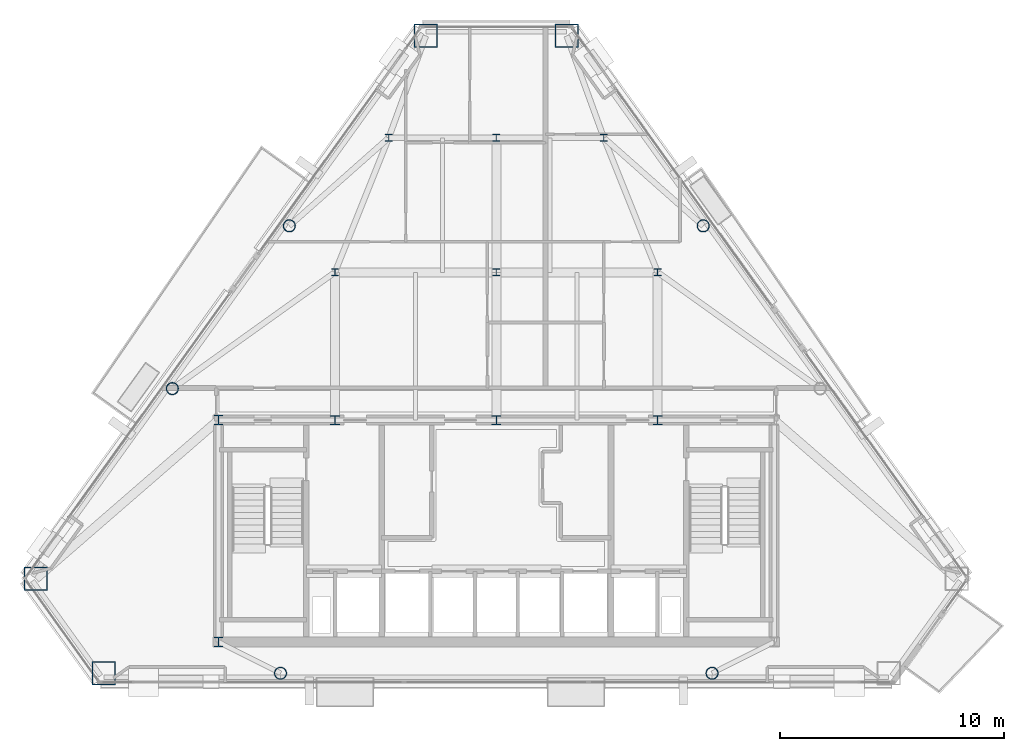
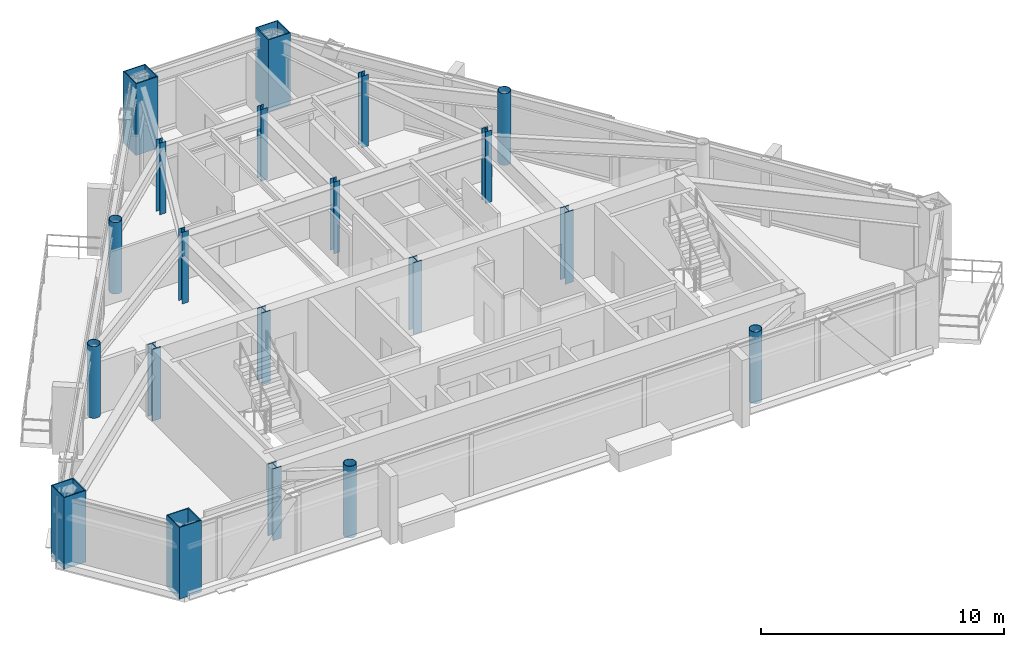
# One storey, part 1 of 11: 20 columns.
"""IFC4 building model written with IfcOpenShell, lengths in metres."""

from ifc_helpers import new_model, si_unit, direction, frame, origin, origin_2d, place, context, subcontext, project, spatial, hollow_rectangle, hollow_circle, i_section, extrude, material, material_profile, profile_set, type_object, element, save


model = new_model("IFC4")

# Units and contexts
model_context = context("Model", 3, precision=1e-05, world=origin(), true_north=direction((0.0, 1.0)))
body_context = subcontext(model_context, "Body", "Model", "MODEL_VIEW")
ifc_project = project(units=[si_unit("LENGTHUNIT", "METRE"), si_unit("AREAUNIT", "SQUARE_METRE"), si_unit("VOLUMEUNIT", "CUBIC_METRE"), si_unit("PLANEANGLEUNIT", "RADIAN"), si_unit("MASSUNIT", "GRAM", prefix="KILO")], contexts=[model_context])

# Site, building, storey
site_placement = place(None, origin())
site = spatial("IfcSite", under=ifc_project, at=site_placement, CompositionType="ELEMENT")
building_placement = place(site_placement, origin())
building = spatial("IfcBuilding", under=site, at=building_placement, Name="Talgorran Terracotta Tower", CompositionType="ELEMENT")
storey_placement = place(building_placement, frame((0.0, 0.0, 207.300048828125)))
storey = spatial("IfcBuildingStorey", under=building, at=storey_placement, Name="L54", CompositionType="ELEMENT", Elevation=207.300048828125)

# Columns
ifc_material_1 = material(Name="Steel S355 (300PLUS)", Category="steel")
ifc_material_profile_1 = material_profile(ifc_material_1, i_section(OverallWidth=0.306884765625, OverallDepth=0.314453125, WebThickness=0.011962890625, FlangeThickness=0.018798828125, at=origin_2d()), Name="310UC118")
ifc_profile_set_1 = profile_set([ifc_material_profile_1], Name="Steel S355 (300PLUS)")
column_type_1 = type_object("IfcColumnType", Name="COL_310UC118", PredefinedType="COLUMN", material=ifc_profile_set_1)
for number, where, z_axis, x_axis, name in (
    (1, (-7.199951171875, 2.39990234375, 0.0), (0.0, 0.0, 1.0), (1.0, 0.0, 0.0), "L54 Interior Gravity Column IC1"),
    (2, (0.0, 2.39990234375, 0.0), (0.0, 0.0, 1.0), (1.0, 0.0, 0.0), "L54 Interior Gravity Column IC2"),
    (3, (7.199951171875, 2.39990234375, 0.0), (0.0, 0.0, 1.0), (1.0, 0.0, 0.0), "L54 Interior Gravity Column IC3"),
    (4, (-4.800048828125, 8.39990234375, 0.0), (0.0, 0.0, 1.0), (1.0, 0.0, 0.0), "L54 Interior Gravity Column IC4"),
    (5, (0.0, 8.39990234375, 0.0), (0.0, 0.0, 1.0), (1.0, 0.0, 0.0), "L54 Interior Gravity Column IC5"),
    (6, (4.800048828125, 8.39990234375, 0.0), (0.0, 0.0, 1.0), (1.0, 0.0, 0.0), "L54 Interior Gravity Column IC6"),
):
    element("IfcColumn", number, at=place(storey_placement, frame(where, z_axis=z_axis, x_axis=x_axis)), inside=storey, type_object=column_type_1, Name=name, PredefinedType="COLUMN", context=body_context, shape_type="SweptSolid", body=[
        extrude(i_section(OverallWidth=0.306884765625, OverallDepth=0.314453125, WebThickness=0.011962890625, FlangeThickness=0.018798828125, at=origin_2d()), origin(), (0.0, 0.0, 1.0), 3.599853515625),
    ])
ifc_material_profile_2 = material_profile(ifc_material_1, i_section(OverallWidth=0.39990234375, OverallDepth=0.43994140625, WebThickness=0.028076171875, FlangeThickness=0.0400390625, at=origin_2d()), Name="400WC328")
ifc_profile_set_2 = profile_set([ifc_material_profile_2], Name="Steel S355 (300PLUS)")
column_type_2 = type_object("IfcColumnType", Name="COL_400WC328", PredefinedType="COLUMN", material=ifc_profile_set_2)
for number, where, z_axis, x_axis, name in (
    (7, (-12.39990234375, -14.10009765625, 0.0), (0.0, 0.0, 1.0), (1.0, 0.0, 0.0), "L54 Core Boundary Column CC1"),
    (8, (-12.39990234375, -4.199951171875, 0.0), (0.0, 0.0, 1.0), (1.0, 0.0, 0.0), "L54 Core Boundary Column CC4"),
):
    element("IfcColumn", number, at=place(storey_placement, frame(where, z_axis=z_axis, x_axis=x_axis)), inside=storey, type_object=column_type_2, Name=name, PredefinedType="COLUMN", context=body_context, shape_type="SweptSolid", body=[
        extrude(i_section(OverallWidth=0.39990234375, OverallDepth=0.43994140625, WebThickness=0.028076171875, FlangeThickness=0.0400390625, at=origin_2d()), origin(), (0.0, 0.0, 1.0), 3.599853515625),
    ])
ifc_material_2 = material(Name="Steel Grade 350 (350L0)", Category="steel")
ifc_material_profile_3 = material_profile(ifc_material_2, hollow_rectangle(XDim=1.050048828125, YDim=1.050048828125, WallThickness=0.044921875, at=origin_2d()), Name="CFT1050X1050X45")
ifc_profile_set_3 = profile_set([ifc_material_profile_3], Name="Steel Grade 350 (350L0)")
column_type_3 = type_object("IfcColumnType", Name="COL_CFT_1050", PredefinedType="COLUMN", material=ifc_profile_set_3)
for number, where, z_axis, x_axis, name in (
    (9, (-20.54833984375, -11.26953125, 0.0), (0.0, 0.0, 1.0), (1.0, 0.0, 0.0), "L54 Corner CFT Mega-Column MC1"),
    (10, (-17.5107421875, -15.49658203125, 0.0), (0.0, 0.0, 1.0), (1.0, 0.0, 0.0), "L54 Corner CFT Mega-Column MC2"),
    (11, (3.14453125, 12.94970703125, 0.0), (0.0, 0.0, 1.0), (1.0, 0.0, 0.0), "L54 Corner CFT Mega-Column MC5"),
    (12, (-3.14453125, 12.94970703125, 0.0), (0.0, 0.0, 1.0), (1.0, 0.0, 0.0), "L54 Corner CFT Mega-Column MC6"),
):
    element("IfcColumn", number, at=place(storey_placement, frame(where, z_axis=z_axis, x_axis=x_axis)), inside=storey, type_object=column_type_3, Name=name, PredefinedType="COLUMN", context=body_context, shape_type="SweptSolid", body=[
        extrude(hollow_rectangle(XDim=1.050048828125, YDim=1.050048828125, WallThickness=0.044921875, at=origin_2d()), origin(), (0.0, 0.0, 1.0), 3.599853515625),
    ])
ifc_material_profile_4 = material_profile(ifc_material_2, hollow_circle(Radius=0.27490234375, WallThickness=0.02392578125, at=origin_2d()), Name="CHS550X24")
ifc_profile_set_4 = profile_set([ifc_material_profile_4], Name="Steel Grade 350 (350L0)")
column_type_4 = type_object("IfcColumnType", Name="COL_CHS_550", PredefinedType="COLUMN", material=ifc_profile_set_4)
for number, where, z_axis, x_axis, name in (
    (13, (-9.630859375, -15.49658203125, 0.0), (0.0, 0.0, 1.0), (1.0, 0.0, 0.0), "L54 Facet Perimeter Column FC1"),
    (14, (9.630859375, -15.49658203125, 0.0), (0.0, 0.0, 1.0), (1.0, 0.0, 0.0), "L54 Facet Perimeter Column FC2"),
    (15, (9.23583984375, 4.472900390625, 0.0), (0.0, 0.0, 1.0), (1.0, 0.0, 0.0), "L54 Facet Perimeter Column FC4"),
    (16, (-9.23583984375, 4.472900390625, 0.0), (0.0, 0.0, 1.0), (1.0, 0.0, 0.0), "L54 Facet Perimeter Column FC5"),
    (17, (-14.45703125, -2.79296875, 0.0), (0.0, 0.0, 1.0), (1.0, 0.0, 0.0), "L54 Facet Perimeter Column FC6"),
):
    element("IfcColumn", number, at=place(storey_placement, frame(where, z_axis=z_axis, x_axis=x_axis)), inside=storey, type_object=column_type_4, Name=name, PredefinedType="COLUMN", context=body_context, shape_type="SweptSolid", body=[
        extrude(hollow_circle(Radius=0.27490234375, WallThickness=0.02392578125, at=origin_2d()), origin(), (0.0, 0.0, 1.0), 3.599853515625),
    ])
ifc_material_profile_5 = material_profile(ifc_material_1, i_section(OverallWidth=0.405029296875, OverallDepth=0.4140625, WebThickness=0.02197265625, FlangeThickness=0.031982421875, at=origin_2d()), Name="400WC270")
ifc_profile_set_5 = profile_set([ifc_material_profile_5], Name="Steel S355 (300PLUS)")
column_type_5 = type_object("IfcColumnType", Name="COL_PIL_400WC270", PredefinedType="PILASTER", material=ifc_profile_set_5)
for number, where, z_axis, x_axis, name in (
    (18, (-7.199951171875, -4.199951171875, 0.0), (0.0, 0.0, 1.0), (1.0, 0.0, 0.0), "L54 Core Shear Pilaster CP1"),
    (19, (0.0, -4.199951171875, 0.0), (0.0, 0.0, 1.0), (1.0, 0.0, 0.0), "L54 Core Shear Pilaster CP2"),
    (20, (7.199951171875, -4.199951171875, 0.0), (0.0, 0.0, 1.0), (1.0, 0.0, 0.0), "L54 Core Shear Pilaster CP3"),
):
    element("IfcColumn", number, at=place(storey_placement, frame(where, z_axis=z_axis, x_axis=x_axis)), inside=storey, type_object=column_type_5, Name=name, PredefinedType="PILASTER", context=body_context, shape_type="SweptSolid", body=[
        extrude(i_section(OverallWidth=0.405029296875, OverallDepth=0.4140625, WebThickness=0.02197265625, FlangeThickness=0.031982421875, at=origin_2d()), origin(), (0.0, 0.0, 1.0), 3.599853515625),
    ])

save(model, "model.ifc")
